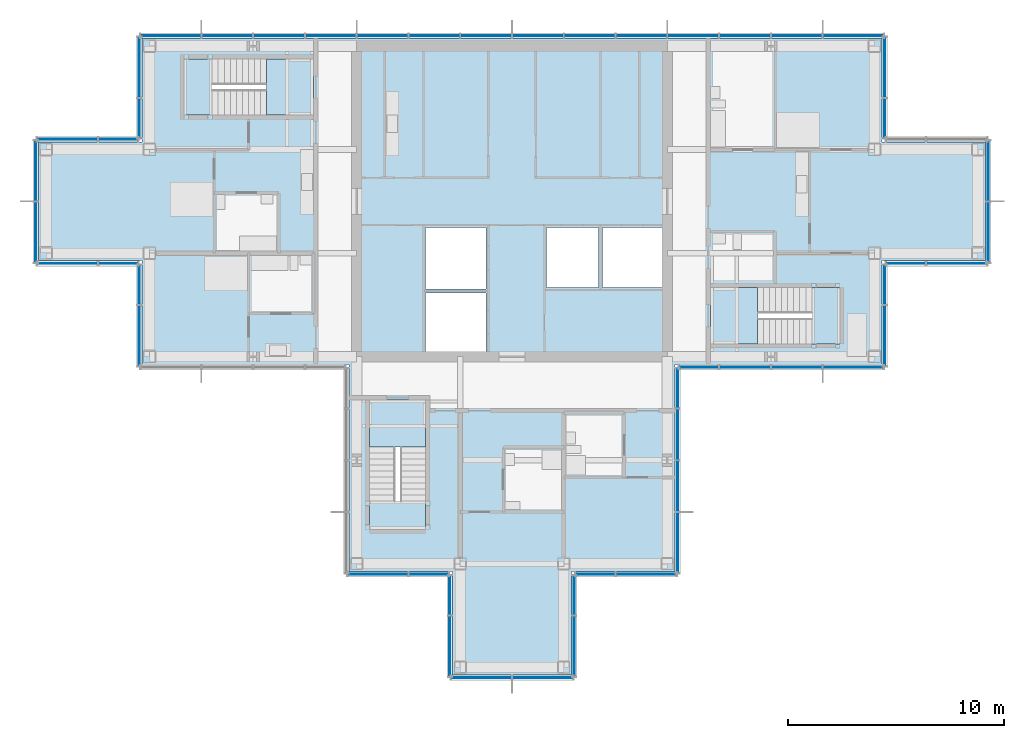
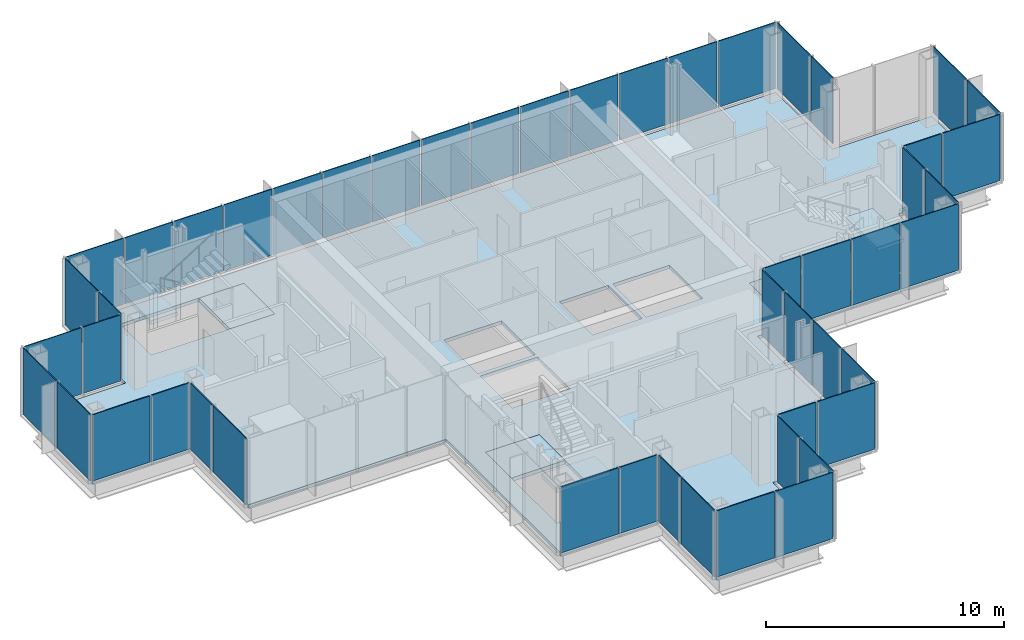
# One storey, part 9 of 15: 50 plates, 7 slabs, 20 elements without a shape of their own.
"""IFC4 building model written with IfcOpenShell, lengths in metres."""

from ifc_helpers import new_model, si_unit, direction, frame, origin, origin_2d, place, context, subcontext, project, spatial, polyline, rectangle, outline, extrude, material, layer, layer_set, type_object, element, aggregate, save


model = new_model("IFC4")

# Units and contexts
model_context = context("Model", 3, precision=1e-05, world=origin(), true_north=direction((0.0, 1.0)))
body_context = subcontext(model_context, "Body", "Model", "MODEL_VIEW")
ifc_project = project(units=[si_unit("LENGTHUNIT", "METRE"), si_unit("AREAUNIT", "SQUARE_METRE"), si_unit("VOLUMEUNIT", "CUBIC_METRE"), si_unit("PLANEANGLEUNIT", "RADIAN"), si_unit("MASSUNIT", "GRAM", prefix="KILO")], contexts=[model_context])

# Site, building, storey
site_placement = place(None, origin())
site = spatial("IfcSite", under=ifc_project, at=site_placement, CompositionType="ELEMENT")
building_placement = place(site_placement, origin())
building = spatial("IfcBuilding", under=site, at=building_placement, Name="Kvirike Care Tower", CompositionType="ELEMENT")
storey_placement = place(building_placement, frame((0.0, 0.0, 208.5)))
storey = spatial("IfcBuildingStorey", under=building, at=storey_placement, Name="L57", CompositionType="ELEMENT", Elevation=208.5)

# Slab
ifc_material_1 = material(Name="Concrete C35/45", Category="concrete")
ifc_layer_1 = layer(ifc_material_1, 0.169921875)
ifc_layer_set_1 = layer_set([ifc_layer_1], Name="FLOOR SLAB 170")
slab_type_1 = type_object("IfcSlabType", Name="FLOOR SLAB 170", PredefinedType="FLOOR", material=ifc_layer_set_1)
slab_1_placement = place(storey_placement, frame((0.0, 0.0, -0.169921875)))
element("IfcSlab", 1, at=slab_1_placement, inside=storey, type_object=slab_type_1, Name="Floor slab L57", PredefinedType="FLOOR", context=body_context, shape_type="SweptSolid", body=[
    extrude(outline(polyline([(29.14990234375, 28.449951171875), (38.75, 28.449951171875), (38.75, 33.25), (43.550048828125, 33.25), (43.550048828125, 38.75), (38.75, 38.75), (38.75, 43.550048828125), (4.449951171875, 43.550048828125), (4.449951171875, 38.75), (-0.35009765625, 38.75), (-0.35009765625, 33.25), (4.449951171875, 33.25), (4.449951171875, 28.449951171875), (14.050048828125, 28.449951171875), (14.050048828125, 18.85009765625), (18.85009765625, 18.85009765625), (18.85009765625, 14.050048828125), (24.35009765625, 14.050048828125), (24.35009765625, 18.85009765625), (29.14990234375, 18.85009765625), (29.14990234375, 28.449951171875)]), holes=[polyline([(17.60009765625, 29.050048828125), (17.60009765625, 31.75), (20.39990234375, 31.75), (20.39990234375, 29.050048828125), (17.60009765625, 29.050048828125)]), polyline([(17.60009765625, 31.949951171875), (17.60009765625, 34.800048828125), (20.39990234375, 34.800048828125), (20.39990234375, 31.949951171875), (17.60009765625, 31.949951171875)]), polyline([(23.199951171875, 32.0), (23.199951171875, 34.800048828125), (25.60009765625, 34.800048828125), (25.60009765625, 32.0), (23.199951171875, 32.0)]), polyline([(25.800048828125, 32.0), (25.800048828125, 34.800048828125), (28.550048828125, 34.800048828125), (28.550048828125, 32.0), (25.800048828125, 32.0)]), polyline([(12.39990234375, 42.60009765625), (12.39990234375, 40.0), (6.39990234375, 40.0), (6.39990234375, 42.60009765625), (12.39990234375, 42.60009765625)]), polyline([(30.800048828125, 29.39990234375), (30.800048828125, 32.0), (36.800048828125, 32.0), (36.800048828125, 29.39990234375), (30.800048828125, 29.39990234375)]), polyline([(15.0, 26.800048828125), (17.60009765625, 26.800048828125), (17.60009765625, 20.800048828125), (15.0, 20.800048828125), (15.0, 26.800048828125)])]), origin(), (0.0, 0.0, 1.0), 0.169921875),
])

# Stair, slabs
ifc_material_2 = material(Name="Concrete C35/45", Category="concrete")
stair_type = type_object("IfcStairType", Name="STAIR 20 RISERS", PredefinedType="HALF_TURN_STAIR", material=ifc_material_2)
stair_1_placement = place(storey_placement, origin())
stair_1 = element("IfcStair", 2, at=stair_1_placement, inside=storey, type_object=stair_type, Name="Stair 1 L57", PredefinedType="HALF_TURN_STAIR")
ifc_material_3 = material(Name="Concrete C35/45", Category="concrete")
ifc_layer_2 = layer(ifc_material_3, 0.199951171875)
ifc_layer_set_2 = layer_set([ifc_layer_2], Name="STAIR LANDING 200")
slab_type_2 = type_object("IfcSlabType", Name="STAIR LANDING 200", PredefinedType="LANDING", material=ifc_layer_set_2)
slab_2_placement = place(storey_placement, frame((0.0, 0.0, -0.199951171875)))
slab_2 = element("IfcSlab", 3, at=slab_2_placement, type_object=slab_type_2, Name="Stair S1 floor landing L57", PredefinedType="LANDING", context=body_context, shape_type="SweptSolid", body=[
    extrude(outline(polyline([(10.219970703125, 42.60009765625), (10.219970703125, 40.0), (12.39990234375, 40.0), (12.39990234375, 42.60009765625), (10.219970703125, 42.60009765625)])), origin(), (0.0, 0.0, 1.0), 0.199951171875),
])
slab_3_placement = place(storey_placement, frame((0.0, 0.0, 1.550048828125)))
slab_3 = element("IfcSlab", 4, at=slab_3_placement, type_object=slab_type_2, Name="Stair S1 half landing L57-L58", PredefinedType="LANDING", context=body_context, shape_type="SweptSolid", body=[
    extrude(outline(polyline([(6.39990234375, 42.60009765625), (6.39990234375, 40.0), (7.699951171875, 40.0), (7.699951171875, 42.60009765625), (6.39990234375, 42.60009765625)])), origin(), (0.0, 0.0, 1.0), 0.199951171875),
])
aggregate(stair_1, [slab_2, slab_3])

stair_2_placement = place(storey_placement, origin())
stair_2 = element("IfcStair", 5, at=stair_2_placement, inside=storey, type_object=stair_type, Name="Stair 2 L57", PredefinedType="HALF_TURN_STAIR")
slab_4_placement = place(storey_placement, frame((0.0, 0.0, -0.199951171875)))
slab_4 = element("IfcSlab", 6, at=slab_4_placement, type_object=slab_type_2, Name="Stair S2 floor landing L57", PredefinedType="LANDING", context=body_context, shape_type="SweptSolid", body=[
    extrude(outline(polyline([(32.97998046875, 29.39990234375), (32.97998046875, 32.0), (30.800048828125, 32.0), (30.800048828125, 29.39990234375), (32.97998046875, 29.39990234375)])), origin(), (0.0, 0.0, 1.0), 0.199951171875),
])
slab_5_placement = place(storey_placement, frame((0.0, 0.0, 1.550048828125)))
slab_5 = element("IfcSlab", 7, at=slab_5_placement, type_object=slab_type_2, Name="Stair S2 half landing L57-L58", PredefinedType="LANDING", context=body_context, shape_type="SweptSolid", body=[
    extrude(outline(polyline([(36.800048828125, 29.39990234375), (36.800048828125, 32.0), (35.5, 32.0), (35.5, 29.39990234375), (36.800048828125, 29.39990234375)])), origin(), (0.0, 0.0, 1.0), 0.199951171875),
])
aggregate(stair_2, [slab_4, slab_5])

stair_3_placement = place(storey_placement, origin())
stair_3 = element("IfcStair", 8, at=stair_3_placement, inside=storey, type_object=stair_type, Name="Stair 5 L57", PredefinedType="HALF_TURN_STAIR")
slab_6_placement = place(storey_placement, frame((0.0, 0.0, -0.199951171875)))
slab_6 = element("IfcSlab", 9, at=slab_6_placement, type_object=slab_type_2, Name="Stair S5 floor landing L57", PredefinedType="LANDING", context=body_context, shape_type="SweptSolid", body=[
    extrude(outline(polyline([(15.0, 24.6201171875), (17.60009765625, 24.6201171875), (17.60009765625, 26.800048828125), (15.0, 26.800048828125), (15.0, 24.6201171875)])), origin(), (0.0, 0.0, 1.0), 0.199951171875),
])
slab_7_placement = place(storey_placement, frame((0.0, 0.0, 1.550048828125)))
slab_7 = element("IfcSlab", 10, at=slab_7_placement, type_object=slab_type_2, Name="Stair S5 half landing L57-L58", PredefinedType="LANDING", context=body_context, shape_type="SweptSolid", body=[
    extrude(outline(polyline([(15.0, 20.800048828125), (17.60009765625, 20.800048828125), (17.60009765625, 22.10009765625), (15.0, 22.10009765625), (15.0, 20.800048828125)])), origin(), (0.0, 0.0, 1.0), 0.199951171875),
])
aggregate(stair_3, [slab_6, slab_7])

# Curtain wall, plates
ifc_material_4 = material(Name="Anodised aluminium stick system", Category="aluminium")
curtain_wall_type = type_object("IfcCurtainWallType", Name="CW-D STICK CURTAIN WALL", PredefinedType="NOTDEFINED", material=ifc_material_4)
curtain_wall_1_placement = place(storey_placement, origin())
curtain_wall_1 = element("IfcCurtainWall", 11, at=curtain_wall_1_placement, inside=storey, type_object=curtain_wall_type, Name="Curtain wall L57 face 1", PredefinedType="NOTDEFINED")
ifc_material_5 = material(Name="Tinted double glazed unit", Category="glass")
ifc_layer_3 = layer(ifc_material_5, 0.0439453125)
ifc_layer_set_3 = layer_set([ifc_layer_3], Name="TINTED VISION PANEL 44")
plate_type = type_object("IfcPlateType", Name="TINTED VISION PANEL 44", PredefinedType="CURTAIN_PANEL", material=ifc_layer_set_3)
plate_1_placement = place(storey_placement, frame((30.25634765625, 28.320068359375, 0.10009765625), z_axis=(0.0, 0.0, 1.0), x_axis=(1.0, 0.0, 0.0)))
plate_1 = element("IfcPlate", 12, at=plate_1_placement, type_object=plate_type, Name="CW-D panel L57 face 1.1", PredefinedType="CURTAIN_PANEL", context=body_context, shape_type="SweptSolid", body=[
    extrude(rectangle(XDim=1.822509765625, YDim=0.0439453125, at=origin_2d()), origin(), (0.0, 0.0, 1.0), 3.39990234375),
])
plate_2_placement = place(storey_placement, frame((32.39990234375, 28.320068359375, 0.10009765625), z_axis=(0.0, 0.0, 1.0), x_axis=(1.0, 0.0, 0.0)))
plate_2 = element("IfcPlate", 13, at=plate_2_placement, type_object=plate_type, Name="CW-D panel L57 face 1.2", PredefinedType="CURTAIN_PANEL", context=body_context, shape_type="SweptSolid", body=[
    extrude(rectangle(XDim=2.3349609375, YDim=0.0439453125, at=origin_2d()), origin(), (0.0, 0.0, 1.0), 3.39990234375),
])
plate_3_placement = place(storey_placement, frame((34.800048828125, 28.320068359375, 0.10009765625), z_axis=(0.0, 0.0, 1.0), x_axis=(1.0, 0.0, 0.0)))
plate_3 = element("IfcPlate", 14, at=plate_3_placement, type_object=plate_type, Name="CW-D panel L57 face 1.3", PredefinedType="CURTAIN_PANEL", context=body_context, shape_type="SweptSolid", body=[
    extrude(rectangle(XDim=2.3349609375, YDim=0.0439453125, at=origin_2d()), origin(), (0.0, 0.0, 1.0), 3.39990234375),
])
plate_4_placement = place(storey_placement, frame((37.423828125, 28.320068359375, 0.10009765625), z_axis=(0.0, 0.0, 1.0), x_axis=(1.0, 0.0, 0.0)))
plate_4 = element("IfcPlate", 15, at=plate_4_placement, type_object=plate_type, Name="CW-D panel L57 face 1.4", PredefinedType="CURTAIN_PANEL", context=body_context, shape_type="SweptSolid", body=[
    extrude(rectangle(XDim=2.782470703125, YDim=0.0439453125, at=origin_2d()), origin(), (0.0, 0.0, 1.0), 3.39990234375),
])
aggregate(curtain_wall_1, [plate_1, plate_2, plate_3, plate_4])

curtain_wall_2_placement = place(storey_placement, origin())
curtain_wall_2 = element("IfcCurtainWall", 16, at=curtain_wall_2_placement, inside=storey, type_object=curtain_wall_type, Name="Curtain wall L57 face 2", PredefinedType="NOTDEFINED")
plate_5_placement = place(storey_placement, frame((38.8798828125, 29.7763671875, 0.10009765625), z_axis=(0.0, 0.0, 1.0), x_axis=(0.0, 1.0, 0.0)))
plate_5 = element("IfcPlate", 17, at=plate_5_placement, type_object=plate_type, Name="CW-D panel L57 face 2.1", PredefinedType="CURTAIN_PANEL", context=body_context, shape_type="SweptSolid", body=[
    extrude(rectangle(XDim=2.782470703125, YDim=0.0439453125, at=origin_2d()), origin(), (0.0, 0.0, 1.0), 3.39990234375),
])
plate_6_placement = place(storey_placement, frame((38.8798828125, 32.143798828125, 0.10009765625), z_axis=(0.0, 0.0, 1.0), x_axis=(0.0, 1.0, 0.0)))
plate_6 = element("IfcPlate", 18, at=plate_6_placement, type_object=plate_type, Name="CW-D panel L57 face 2.2", PredefinedType="CURTAIN_PANEL", context=body_context, shape_type="SweptSolid", body=[
    extrude(rectangle(XDim=1.822509765625, YDim=0.0439453125, at=origin_2d()), origin(), (0.0, 0.0, 1.0), 3.39990234375),
])
aggregate(curtain_wall_2, [plate_5, plate_6])

curtain_wall_3_placement = place(storey_placement, origin())
curtain_wall_3 = element("IfcCurtainWall", 19, at=curtain_wall_3_placement, inside=storey, type_object=curtain_wall_type, Name="Curtain wall L57 face 3", PredefinedType="NOTDEFINED")
plate_7_placement = place(storey_placement, frame((39.856201171875, 33.1201171875, 0.10009765625), z_axis=(0.0, 0.0, 1.0), x_axis=(1.0, 0.0, 0.0)))
plate_7 = element("IfcPlate", 20, at=plate_7_placement, type_object=plate_type, Name="CW-D panel L57 face 3.1", PredefinedType="CURTAIN_PANEL", context=body_context, shape_type="SweptSolid", body=[
    extrude(rectangle(XDim=1.822509765625, YDim=0.0439453125, at=origin_2d()), origin(), (0.0, 0.0, 1.0), 3.39990234375),
])
plate_8_placement = place(storey_placement, frame((42.2236328125, 33.1201171875, 0.10009765625), z_axis=(0.0, 0.0, 1.0), x_axis=(1.0, 0.0, 0.0)))
plate_8 = element("IfcPlate", 21, at=plate_8_placement, type_object=plate_type, Name="CW-D panel L57 face 3.2", PredefinedType="CURTAIN_PANEL", context=body_context, shape_type="SweptSolid", body=[
    extrude(rectangle(XDim=2.782470703125, YDim=0.0439453125, at=origin_2d()), origin(), (0.0, 0.0, 1.0), 3.39990234375),
])
aggregate(curtain_wall_3, [plate_7, plate_8])

curtain_wall_4_placement = place(storey_placement, origin())
curtain_wall_4 = element("IfcCurtainWall", 22, at=curtain_wall_4_placement, inside=storey, type_object=curtain_wall_type, Name="Curtain wall L57 face 4", PredefinedType="NOTDEFINED")
plate_9_placement = place(storey_placement, frame((43.679931640625, 34.576171875, 0.10009765625), z_axis=(0.0, 0.0, 1.0), x_axis=(0.0, 1.0, 0.0)))
plate_9 = element("IfcPlate", 23, at=plate_9_placement, type_object=plate_type, Name="CW-D panel L57 face 4.1", PredefinedType="CURTAIN_PANEL", context=body_context, shape_type="SweptSolid", body=[
    extrude(rectangle(XDim=2.782470703125, YDim=0.0439453125, at=origin_2d()), origin(), (0.0, 0.0, 1.0), 3.39990234375),
])
plate_10_placement = place(storey_placement, frame((43.679931640625, 37.423828125, 0.10009765625), z_axis=(0.0, 0.0, 1.0), x_axis=(0.0, 1.0, 0.0)))
plate_10 = element("IfcPlate", 24, at=plate_10_placement, type_object=plate_type, Name="CW-D panel L57 face 4.2", PredefinedType="CURTAIN_PANEL", context=body_context, shape_type="SweptSolid", body=[
    extrude(rectangle(XDim=2.782470703125, YDim=0.0439453125, at=origin_2d()), origin(), (0.0, 0.0, 1.0), 3.39990234375),
])
aggregate(curtain_wall_4, [plate_9, plate_10])

curtain_wall_5_placement = place(storey_placement, origin())
curtain_wall_5 = element("IfcCurtainWall", 25, at=curtain_wall_5_placement, inside=storey, type_object=curtain_wall_type, Name="Curtain wall L57 face 6", PredefinedType="NOTDEFINED")
plate_11_placement = place(storey_placement, frame((38.8798828125, 39.856201171875, 0.10009765625), z_axis=(0.0, 0.0, 1.0), x_axis=(0.0, 1.0, 0.0)))
plate_11 = element("IfcPlate", 26, at=plate_11_placement, type_object=plate_type, Name="CW-D panel L57 face 6.1", PredefinedType="CURTAIN_PANEL", context=body_context, shape_type="SweptSolid", body=[
    extrude(rectangle(XDim=1.822509765625, YDim=0.0439453125, at=origin_2d()), origin(), (0.0, 0.0, 1.0), 3.39990234375),
])
plate_12_placement = place(storey_placement, frame((38.8798828125, 42.2236328125, 0.10009765625), z_axis=(0.0, 0.0, 1.0), x_axis=(0.0, 1.0, 0.0)))
plate_12 = element("IfcPlate", 27, at=plate_12_placement, type_object=plate_type, Name="CW-D panel L57 face 6.2", PredefinedType="CURTAIN_PANEL", context=body_context, shape_type="SweptSolid", body=[
    extrude(rectangle(XDim=2.782470703125, YDim=0.0439453125, at=origin_2d()), origin(), (0.0, 0.0, 1.0), 3.39990234375),
])
aggregate(curtain_wall_5, [plate_11, plate_12])

curtain_wall_6_placement = place(storey_placement, origin())
curtain_wall_6 = element("IfcCurtainWall", 28, at=curtain_wall_6_placement, inside=storey, type_object=curtain_wall_type, Name="Curtain wall L57 face 7", PredefinedType="NOTDEFINED")
plate_13_placement = place(storey_placement, frame((37.423828125, 43.679931640625, 0.10009765625), z_axis=(0.0, 0.0, 1.0), x_axis=(-1.0, 0.0, 0.0)))
plate_13 = element("IfcPlate", 29, at=plate_13_placement, type_object=plate_type, Name="CW-D panel L57 face 7.1", PredefinedType="CURTAIN_PANEL", context=body_context, shape_type="SweptSolid", body=[
    extrude(rectangle(XDim=2.782470703125, YDim=0.0439453125, at=origin_2d()), origin(), (0.0, 0.0, 1.0), 3.39990234375),
])
plate_14_placement = place(storey_placement, frame((34.800048828125, 43.679931640625, 0.10009765625), z_axis=(0.0, 0.0, 1.0), x_axis=(-1.0, 0.0, 0.0)))
plate_14 = element("IfcPlate", 30, at=plate_14_placement, type_object=plate_type, Name="CW-D panel L57 face 7.2", PredefinedType="CURTAIN_PANEL", context=body_context, shape_type="SweptSolid", body=[
    extrude(rectangle(XDim=2.3349609375, YDim=0.0439453125, at=origin_2d()), origin(), (0.0, 0.0, 1.0), 3.39990234375),
])
plate_15_placement = place(storey_placement, frame((32.39990234375, 43.679931640625, 0.10009765625), z_axis=(0.0, 0.0, 1.0), x_axis=(-1.0, 0.0, 0.0)))
plate_15 = element("IfcPlate", 31, at=plate_15_placement, type_object=plate_type, Name="CW-D panel L57 face 7.3", PredefinedType="CURTAIN_PANEL", context=body_context, shape_type="SweptSolid", body=[
    extrude(rectangle(XDim=2.3349609375, YDim=0.0439453125, at=origin_2d()), origin(), (0.0, 0.0, 1.0), 3.39990234375),
])
plate_16_placement = place(storey_placement, frame((30.0, 43.679931640625, 0.10009765625), z_axis=(0.0, 0.0, 1.0), x_axis=(-1.0, 0.0, 0.0)))
plate_16 = element("IfcPlate", 32, at=plate_16_placement, type_object=plate_type, Name="CW-D panel L57 face 7.4", PredefinedType="CURTAIN_PANEL", context=body_context, shape_type="SweptSolid", body=[
    extrude(rectangle(XDim=2.3349609375, YDim=0.0439453125, at=origin_2d()), origin(), (0.0, 0.0, 1.0), 3.39990234375),
])
plate_17_placement = place(storey_placement, frame((27.60009765625, 43.679931640625, 0.10009765625), z_axis=(0.0, 0.0, 1.0), x_axis=(-1.0, 0.0, 0.0)))
plate_17 = element("IfcPlate", 33, at=plate_17_placement, type_object=plate_type, Name="CW-D panel L57 face 7.5", PredefinedType="CURTAIN_PANEL", context=body_context, shape_type="SweptSolid", body=[
    extrude(rectangle(XDim=2.3349609375, YDim=0.0439453125, at=origin_2d()), origin(), (0.0, 0.0, 1.0), 3.39990234375),
])
plate_18_placement = place(storey_placement, frame((25.199951171875, 43.679931640625, 0.10009765625), z_axis=(0.0, 0.0, 1.0), x_axis=(-1.0, 0.0, 0.0)))
plate_18 = element("IfcPlate", 34, at=plate_18_placement, type_object=plate_type, Name="CW-D panel L57 face 7.6", PredefinedType="CURTAIN_PANEL", context=body_context, shape_type="SweptSolid", body=[
    extrude(rectangle(XDim=2.3349609375, YDim=0.0439453125, at=origin_2d()), origin(), (0.0, 0.0, 1.0), 3.39990234375),
])
plate_19_placement = place(storey_placement, frame((22.800048828125, 43.679931640625, 0.10009765625), z_axis=(0.0, 0.0, 1.0), x_axis=(-1.0, 0.0, 0.0)))
plate_19 = element("IfcPlate", 35, at=plate_19_placement, type_object=plate_type, Name="CW-D panel L57 face 7.7", PredefinedType="CURTAIN_PANEL", context=body_context, shape_type="SweptSolid", body=[
    extrude(rectangle(XDim=2.3349609375, YDim=0.0439453125, at=origin_2d()), origin(), (0.0, 0.0, 1.0), 3.39990234375),
])
plate_20_placement = place(storey_placement, frame((20.39990234375, 43.679931640625, 0.10009765625), z_axis=(0.0, 0.0, 1.0), x_axis=(-1.0, 0.0, 0.0)))
plate_20 = element("IfcPlate", 36, at=plate_20_placement, type_object=plate_type, Name="CW-D panel L57 face 7.8", PredefinedType="CURTAIN_PANEL", context=body_context, shape_type="SweptSolid", body=[
    extrude(rectangle(XDim=2.3349609375, YDim=0.0439453125, at=origin_2d()), origin(), (0.0, 0.0, 1.0), 3.39990234375),
])
plate_21_placement = place(storey_placement, frame((18.0, 43.679931640625, 0.10009765625), z_axis=(0.0, 0.0, 1.0), x_axis=(-1.0, 0.0, 0.0)))
plate_21 = element("IfcPlate", 37, at=plate_21_placement, type_object=plate_type, Name="CW-D panel L57 face 7.9", PredefinedType="CURTAIN_PANEL", context=body_context, shape_type="SweptSolid", body=[
    extrude(rectangle(XDim=2.3349609375, YDim=0.0439453125, at=origin_2d()), origin(), (0.0, 0.0, 1.0), 3.39990234375),
])
plate_22_placement = place(storey_placement, frame((15.60009765625, 43.679931640625, 0.10009765625), z_axis=(0.0, 0.0, 1.0), x_axis=(-1.0, 0.0, 0.0)))
plate_22 = element("IfcPlate", 38, at=plate_22_placement, type_object=plate_type, Name="CW-D panel L57 face 7.10", PredefinedType="CURTAIN_PANEL", context=body_context, shape_type="SweptSolid", body=[
    extrude(rectangle(XDim=2.3349609375, YDim=0.0439453125, at=origin_2d()), origin(), (0.0, 0.0, 1.0), 3.39990234375),
])
plate_23_placement = place(storey_placement, frame((13.199951171875, 43.679931640625, 0.10009765625), z_axis=(0.0, 0.0, 1.0), x_axis=(-1.0, 0.0, 0.0)))
plate_23 = element("IfcPlate", 39, at=plate_23_placement, type_object=plate_type, Name="CW-D panel L57 face 7.11", PredefinedType="CURTAIN_PANEL", context=body_context, shape_type="SweptSolid", body=[
    extrude(rectangle(XDim=2.3349609375, YDim=0.0439453125, at=origin_2d()), origin(), (0.0, 0.0, 1.0), 3.39990234375),
])
plate_24_placement = place(storey_placement, frame((10.800048828125, 43.679931640625, 0.10009765625), z_axis=(0.0, 0.0, 1.0), x_axis=(-1.0, 0.0, 0.0)))
plate_24 = element("IfcPlate", 40, at=plate_24_placement, type_object=plate_type, Name="CW-D panel L57 face 7.12", PredefinedType="CURTAIN_PANEL", context=body_context, shape_type="SweptSolid", body=[
    extrude(rectangle(XDim=2.3349609375, YDim=0.0439453125, at=origin_2d()), origin(), (0.0, 0.0, 1.0), 3.39990234375),
])
plate_25_placement = place(storey_placement, frame((8.39990234375, 43.679931640625, 0.10009765625), z_axis=(0.0, 0.0, 1.0), x_axis=(-1.0, 0.0, 0.0)))
plate_25 = element("IfcPlate", 41, at=plate_25_placement, type_object=plate_type, Name="CW-D panel L57 face 7.13", PredefinedType="CURTAIN_PANEL", context=body_context, shape_type="SweptSolid", body=[
    extrude(rectangle(XDim=2.3349609375, YDim=0.0439453125, at=origin_2d()), origin(), (0.0, 0.0, 1.0), 3.39990234375),
])
plate_26_placement = place(storey_placement, frame((5.7763671875, 43.679931640625, 0.10009765625), z_axis=(0.0, 0.0, 1.0), x_axis=(-1.0, 0.0, 0.0)))
plate_26 = element("IfcPlate", 42, at=plate_26_placement, type_object=plate_type, Name="CW-D panel L57 face 7.14", PredefinedType="CURTAIN_PANEL", context=body_context, shape_type="SweptSolid", body=[
    extrude(rectangle(XDim=2.782470703125, YDim=0.0439453125, at=origin_2d()), origin(), (0.0, 0.0, 1.0), 3.39990234375),
])
aggregate(curtain_wall_6, [plate_13, plate_14, plate_15, plate_16, plate_17, plate_18, plate_19, plate_20, plate_21, plate_22, plate_23, plate_24, plate_25, plate_26])

curtain_wall_7_placement = place(storey_placement, origin())
curtain_wall_7 = element("IfcCurtainWall", 43, at=curtain_wall_7_placement, inside=storey, type_object=curtain_wall_type, Name="Curtain wall L57 face 8", PredefinedType="NOTDEFINED")
plate_27_placement = place(storey_placement, frame((4.320068359375, 42.2236328125, 0.10009765625), z_axis=(0.0, 0.0, 1.0), x_axis=(0.0, -1.0, 0.0)))
plate_27 = element("IfcPlate", 44, at=plate_27_placement, type_object=plate_type, Name="CW-D panel L57 face 8.1", PredefinedType="CURTAIN_PANEL", context=body_context, shape_type="SweptSolid", body=[
    extrude(rectangle(XDim=2.782470703125, YDim=0.0439453125, at=origin_2d()), origin(), (0.0, 0.0, 1.0), 3.39990234375),
])
plate_28_placement = place(storey_placement, frame((4.320068359375, 39.856201171875, 0.10009765625), z_axis=(0.0, 0.0, 1.0), x_axis=(0.0, -1.0, 0.0)))
plate_28 = element("IfcPlate", 45, at=plate_28_placement, type_object=plate_type, Name="CW-D panel L57 face 8.2", PredefinedType="CURTAIN_PANEL", context=body_context, shape_type="SweptSolid", body=[
    extrude(rectangle(XDim=1.822509765625, YDim=0.0439453125, at=origin_2d()), origin(), (0.0, 0.0, 1.0), 3.39990234375),
])
aggregate(curtain_wall_7, [plate_27, plate_28])

curtain_wall_8_placement = place(storey_placement, origin())
curtain_wall_8 = element("IfcCurtainWall", 46, at=curtain_wall_8_placement, inside=storey, type_object=curtain_wall_type, Name="Curtain wall L57 face 9", PredefinedType="NOTDEFINED")
plate_29_placement = place(storey_placement, frame((3.34375, 38.8798828125, 0.10009765625), z_axis=(0.0, 0.0, 1.0), x_axis=(-1.0, 0.0, 0.0)))
plate_29 = element("IfcPlate", 47, at=plate_29_placement, type_object=plate_type, Name="CW-D panel L57 face 9.1", PredefinedType="CURTAIN_PANEL", context=body_context, shape_type="SweptSolid", body=[
    extrude(rectangle(XDim=1.822509765625, YDim=0.0439453125, at=origin_2d()), origin(), (0.0, 0.0, 1.0), 3.39990234375),
])
plate_30_placement = place(storey_placement, frame((0.976318359375, 38.8798828125, 0.10009765625), z_axis=(0.0, 0.0, 1.0), x_axis=(-1.0, 0.0, 0.0)))
plate_30 = element("IfcPlate", 48, at=plate_30_placement, type_object=plate_type, Name="CW-D panel L57 face 9.2", PredefinedType="CURTAIN_PANEL", context=body_context, shape_type="SweptSolid", body=[
    extrude(rectangle(XDim=2.782470703125, YDim=0.0439453125, at=origin_2d()), origin(), (0.0, 0.0, 1.0), 3.39990234375),
])
aggregate(curtain_wall_8, [plate_29, plate_30])

curtain_wall_9_placement = place(storey_placement, origin())
curtain_wall_9 = element("IfcCurtainWall", 49, at=curtain_wall_9_placement, inside=storey, type_object=curtain_wall_type, Name="Curtain wall L57 face 10", PredefinedType="NOTDEFINED")
plate_31_placement = place(storey_placement, frame((-0.47998046875, 37.423828125, 0.10009765625), z_axis=(0.0, 0.0, 1.0), x_axis=(0.0, -1.0, 0.0)))
plate_31 = element("IfcPlate", 50, at=plate_31_placement, type_object=plate_type, Name="CW-D panel L57 face 10.1", PredefinedType="CURTAIN_PANEL", context=body_context, shape_type="SweptSolid", body=[
    extrude(rectangle(XDim=2.782470703125, YDim=0.0439453125, at=origin_2d()), origin(), (0.0, 0.0, 1.0), 3.39990234375),
])
plate_32_placement = place(storey_placement, frame((-0.47998046875, 34.576171875, 0.10009765625), z_axis=(0.0, 0.0, 1.0), x_axis=(0.0, -1.0, 0.0)))
plate_32 = element("IfcPlate", 51, at=plate_32_placement, type_object=plate_type, Name="CW-D panel L57 face 10.2", PredefinedType="CURTAIN_PANEL", context=body_context, shape_type="SweptSolid", body=[
    extrude(rectangle(XDim=2.782470703125, YDim=0.0439453125, at=origin_2d()), origin(), (0.0, 0.0, 1.0), 3.39990234375),
])
aggregate(curtain_wall_9, [plate_31, plate_32])

curtain_wall_10_placement = place(storey_placement, origin())
curtain_wall_10 = element("IfcCurtainWall", 52, at=curtain_wall_10_placement, inside=storey, type_object=curtain_wall_type, Name="Curtain wall L57 face 11", PredefinedType="NOTDEFINED")
plate_33_placement = place(storey_placement, frame((0.976318359375, 33.1201171875, 0.10009765625), z_axis=(0.0, 0.0, 1.0), x_axis=(1.0, 0.0, 0.0)))
plate_33 = element("IfcPlate", 53, at=plate_33_placement, type_object=plate_type, Name="CW-D panel L57 face 11.1", PredefinedType="CURTAIN_PANEL", context=body_context, shape_type="SweptSolid", body=[
    extrude(rectangle(XDim=2.782470703125, YDim=0.0439453125, at=origin_2d()), origin(), (0.0, 0.0, 1.0), 3.39990234375),
])
plate_34_placement = place(storey_placement, frame((3.34375, 33.1201171875, 0.10009765625), z_axis=(0.0, 0.0, 1.0), x_axis=(1.0, 0.0, 0.0)))
plate_34 = element("IfcPlate", 54, at=plate_34_placement, type_object=plate_type, Name="CW-D panel L57 face 11.2", PredefinedType="CURTAIN_PANEL", context=body_context, shape_type="SweptSolid", body=[
    extrude(rectangle(XDim=1.822509765625, YDim=0.0439453125, at=origin_2d()), origin(), (0.0, 0.0, 1.0), 3.39990234375),
])
aggregate(curtain_wall_10, [plate_33, plate_34])

curtain_wall_11_placement = place(storey_placement, origin())
curtain_wall_11 = element("IfcCurtainWall", 55, at=curtain_wall_11_placement, inside=storey, type_object=curtain_wall_type, Name="Curtain wall L57 face 12", PredefinedType="NOTDEFINED")
plate_35_placement = place(storey_placement, frame((4.320068359375, 32.143798828125, 0.10009765625), z_axis=(0.0, 0.0, 1.0), x_axis=(0.0, -1.0, 0.0)))
plate_35 = element("IfcPlate", 56, at=plate_35_placement, type_object=plate_type, Name="CW-D panel L57 face 12.1", PredefinedType="CURTAIN_PANEL", context=body_context, shape_type="SweptSolid", body=[
    extrude(rectangle(XDim=1.822509765625, YDim=0.0439453125, at=origin_2d()), origin(), (0.0, 0.0, 1.0), 3.39990234375),
])
plate_36_placement = place(storey_placement, frame((4.320068359375, 29.7763671875, 0.10009765625), z_axis=(0.0, 0.0, 1.0), x_axis=(0.0, -1.0, 0.0)))
plate_36 = element("IfcPlate", 57, at=plate_36_placement, type_object=plate_type, Name="CW-D panel L57 face 12.2", PredefinedType="CURTAIN_PANEL", context=body_context, shape_type="SweptSolid", body=[
    extrude(rectangle(XDim=2.782470703125, YDim=0.0439453125, at=origin_2d()), origin(), (0.0, 0.0, 1.0), 3.39990234375),
])
aggregate(curtain_wall_11, [plate_35, plate_36])

curtain_wall_12_placement = place(storey_placement, origin())
curtain_wall_12 = element("IfcCurtainWall", 58, at=curtain_wall_12_placement, inside=storey, type_object=curtain_wall_type, Name="Curtain wall L57 face 15", PredefinedType="NOTDEFINED")
plate_37_placement = place(storey_placement, frame((15.376220703125, 18.719970703125, 0.10009765625), z_axis=(0.0, 0.0, 1.0), x_axis=(1.0, 0.0, 0.0)))
plate_37 = element("IfcPlate", 59, at=plate_37_placement, type_object=plate_type, Name="CW-D panel L57 face 15.1", PredefinedType="CURTAIN_PANEL", context=body_context, shape_type="SweptSolid", body=[
    extrude(rectangle(XDim=2.782470703125, YDim=0.0439453125, at=origin_2d()), origin(), (0.0, 0.0, 1.0), 3.39990234375),
])
plate_38_placement = place(storey_placement, frame((17.74365234375, 18.719970703125, 0.10009765625), z_axis=(0.0, 0.0, 1.0), x_axis=(1.0, 0.0, 0.0)))
plate_38 = element("IfcPlate", 60, at=plate_38_placement, type_object=plate_type, Name="CW-D panel L57 face 15.2", PredefinedType="CURTAIN_PANEL", context=body_context, shape_type="SweptSolid", body=[
    extrude(rectangle(XDim=1.822509765625, YDim=0.0439453125, at=origin_2d()), origin(), (0.0, 0.0, 1.0), 3.39990234375),
])
aggregate(curtain_wall_12, [plate_37, plate_38])

curtain_wall_13_placement = place(storey_placement, origin())
curtain_wall_13 = element("IfcCurtainWall", 61, at=curtain_wall_13_placement, inside=storey, type_object=curtain_wall_type, Name="Curtain wall L57 face 16", PredefinedType="NOTDEFINED")
plate_39_placement = place(storey_placement, frame((18.719970703125, 17.74365234375, 0.10009765625), z_axis=(0.0, 0.0, 1.0), x_axis=(0.0, -1.0, 0.0)))
plate_39 = element("IfcPlate", 62, at=plate_39_placement, type_object=plate_type, Name="CW-D panel L57 face 16.1", PredefinedType="CURTAIN_PANEL", context=body_context, shape_type="SweptSolid", body=[
    extrude(rectangle(XDim=1.822509765625, YDim=0.0439453125, at=origin_2d()), origin(), (0.0, 0.0, 1.0), 3.39990234375),
])
plate_40_placement = place(storey_placement, frame((18.719970703125, 15.376220703125, 0.10009765625), z_axis=(0.0, 0.0, 1.0), x_axis=(0.0, -1.0, 0.0)))
plate_40 = element("IfcPlate", 63, at=plate_40_placement, type_object=plate_type, Name="CW-D panel L57 face 16.2", PredefinedType="CURTAIN_PANEL", context=body_context, shape_type="SweptSolid", body=[
    extrude(rectangle(XDim=2.782470703125, YDim=0.0439453125, at=origin_2d()), origin(), (0.0, 0.0, 1.0), 3.39990234375),
])
aggregate(curtain_wall_13, [plate_39, plate_40])

curtain_wall_14_placement = place(storey_placement, origin())
curtain_wall_14 = element("IfcCurtainWall", 64, at=curtain_wall_14_placement, inside=storey, type_object=curtain_wall_type, Name="Curtain wall L57 face 17", PredefinedType="NOTDEFINED")
plate_41_placement = place(storey_placement, frame((20.17626953125, 13.919921875, 0.10009765625), z_axis=(0.0, 0.0, 1.0), x_axis=(1.0, 0.0, 0.0)))
plate_41 = element("IfcPlate", 65, at=plate_41_placement, type_object=plate_type, Name="CW-D panel L57 face 17.1", PredefinedType="CURTAIN_PANEL", context=body_context, shape_type="SweptSolid", body=[
    extrude(rectangle(XDim=2.782470703125, YDim=0.0439453125, at=origin_2d()), origin(), (0.0, 0.0, 1.0), 3.39990234375),
])
plate_42_placement = place(storey_placement, frame((23.023681640625, 13.919921875, 0.10009765625), z_axis=(0.0, 0.0, 1.0), x_axis=(1.0, 0.0, 0.0)))
plate_42 = element("IfcPlate", 66, at=plate_42_placement, type_object=plate_type, Name="CW-D panel L57 face 17.2", PredefinedType="CURTAIN_PANEL", context=body_context, shape_type="SweptSolid", body=[
    extrude(rectangle(XDim=2.782470703125, YDim=0.0439453125, at=origin_2d()), origin(), (0.0, 0.0, 1.0), 3.39990234375),
])
aggregate(curtain_wall_14, [plate_41, plate_42])

curtain_wall_15_placement = place(storey_placement, origin())
curtain_wall_15 = element("IfcCurtainWall", 67, at=curtain_wall_15_placement, inside=storey, type_object=curtain_wall_type, Name="Curtain wall L57 face 18", PredefinedType="NOTDEFINED")
plate_43_placement = place(storey_placement, frame((24.47998046875, 15.376220703125, 0.10009765625), z_axis=(0.0, 0.0, 1.0), x_axis=(0.0, 1.0, 0.0)))
plate_43 = element("IfcPlate", 68, at=plate_43_placement, type_object=plate_type, Name="CW-D panel L57 face 18.1", PredefinedType="CURTAIN_PANEL", context=body_context, shape_type="SweptSolid", body=[
    extrude(rectangle(XDim=2.782470703125, YDim=0.0439453125, at=origin_2d()), origin(), (0.0, 0.0, 1.0), 3.39990234375),
])
plate_44_placement = place(storey_placement, frame((24.47998046875, 17.74365234375, 0.10009765625), z_axis=(0.0, 0.0, 1.0), x_axis=(0.0, 1.0, 0.0)))
plate_44 = element("IfcPlate", 69, at=plate_44_placement, type_object=plate_type, Name="CW-D panel L57 face 18.2", PredefinedType="CURTAIN_PANEL", context=body_context, shape_type="SweptSolid", body=[
    extrude(rectangle(XDim=1.822509765625, YDim=0.0439453125, at=origin_2d()), origin(), (0.0, 0.0, 1.0), 3.39990234375),
])
aggregate(curtain_wall_15, [plate_43, plate_44])

curtain_wall_16_placement = place(storey_placement, origin())
curtain_wall_16 = element("IfcCurtainWall", 70, at=curtain_wall_16_placement, inside=storey, type_object=curtain_wall_type, Name="Curtain wall L57 face 19", PredefinedType="NOTDEFINED")
plate_45_placement = place(storey_placement, frame((25.456298828125, 18.719970703125, 0.10009765625), z_axis=(0.0, 0.0, 1.0), x_axis=(1.0, 0.0, 0.0)))
plate_45 = element("IfcPlate", 71, at=plate_45_placement, type_object=plate_type, Name="CW-D panel L57 face 19.1", PredefinedType="CURTAIN_PANEL", context=body_context, shape_type="SweptSolid", body=[
    extrude(rectangle(XDim=1.822509765625, YDim=0.0439453125, at=origin_2d()), origin(), (0.0, 0.0, 1.0), 3.39990234375),
])
plate_46_placement = place(storey_placement, frame((27.82373046875, 18.719970703125, 0.10009765625), z_axis=(0.0, 0.0, 1.0), x_axis=(1.0, 0.0, 0.0)))
plate_46 = element("IfcPlate", 72, at=plate_46_placement, type_object=plate_type, Name="CW-D panel L57 face 19.2", PredefinedType="CURTAIN_PANEL", context=body_context, shape_type="SweptSolid", body=[
    extrude(rectangle(XDim=2.782470703125, YDim=0.0439453125, at=origin_2d()), origin(), (0.0, 0.0, 1.0), 3.39990234375),
])
aggregate(curtain_wall_16, [plate_45, plate_46])

curtain_wall_17_placement = place(storey_placement, origin())
curtain_wall_17 = element("IfcCurtainWall", 73, at=curtain_wall_17_placement, inside=storey, type_object=curtain_wall_type, Name="Curtain wall L57 face 20", PredefinedType="NOTDEFINED")
plate_47_placement = place(storey_placement, frame((29.280029296875, 20.17626953125, 0.10009765625), z_axis=(0.0, 0.0, 1.0), x_axis=(0.0, 1.0, 0.0)))
plate_47 = element("IfcPlate", 74, at=plate_47_placement, type_object=plate_type, Name="CW-D panel L57 face 20.1", PredefinedType="CURTAIN_PANEL", context=body_context, shape_type="SweptSolid", body=[
    extrude(rectangle(XDim=2.782470703125, YDim=0.0439453125, at=origin_2d()), origin(), (0.0, 0.0, 1.0), 3.39990234375),
])
plate_48_placement = place(storey_placement, frame((29.280029296875, 22.800048828125, 0.10009765625), z_axis=(0.0, 0.0, 1.0), x_axis=(0.0, 1.0, 0.0)))
plate_48 = element("IfcPlate", 75, at=plate_48_placement, type_object=plate_type, Name="CW-D panel L57 face 20.2", PredefinedType="CURTAIN_PANEL", context=body_context, shape_type="SweptSolid", body=[
    extrude(rectangle(XDim=2.3349609375, YDim=0.0439453125, at=origin_2d()), origin(), (0.0, 0.0, 1.0), 3.39990234375),
])
plate_49_placement = place(storey_placement, frame((29.280029296875, 25.199951171875, 0.10009765625), z_axis=(0.0, 0.0, 1.0), x_axis=(0.0, 1.0, 0.0)))
plate_49 = element("IfcPlate", 76, at=plate_49_placement, type_object=plate_type, Name="CW-D panel L57 face 20.3", PredefinedType="CURTAIN_PANEL", context=body_context, shape_type="SweptSolid", body=[
    extrude(rectangle(XDim=2.3349609375, YDim=0.0439453125, at=origin_2d()), origin(), (0.0, 0.0, 1.0), 3.39990234375),
])
plate_50_placement = place(storey_placement, frame((29.280029296875, 27.34375, 0.10009765625), z_axis=(0.0, 0.0, 1.0), x_axis=(0.0, 1.0, 0.0)))
plate_50 = element("IfcPlate", 77, at=plate_50_placement, type_object=plate_type, Name="CW-D panel L57 face 20.4", PredefinedType="CURTAIN_PANEL", context=body_context, shape_type="SweptSolid", body=[
    extrude(rectangle(XDim=1.822509765625, YDim=0.0439453125, at=origin_2d()), origin(), (0.0, 0.0, 1.0), 3.39990234375),
])
aggregate(curtain_wall_17, [plate_47, plate_48, plate_49, plate_50])

save(model, "model.ifc")
